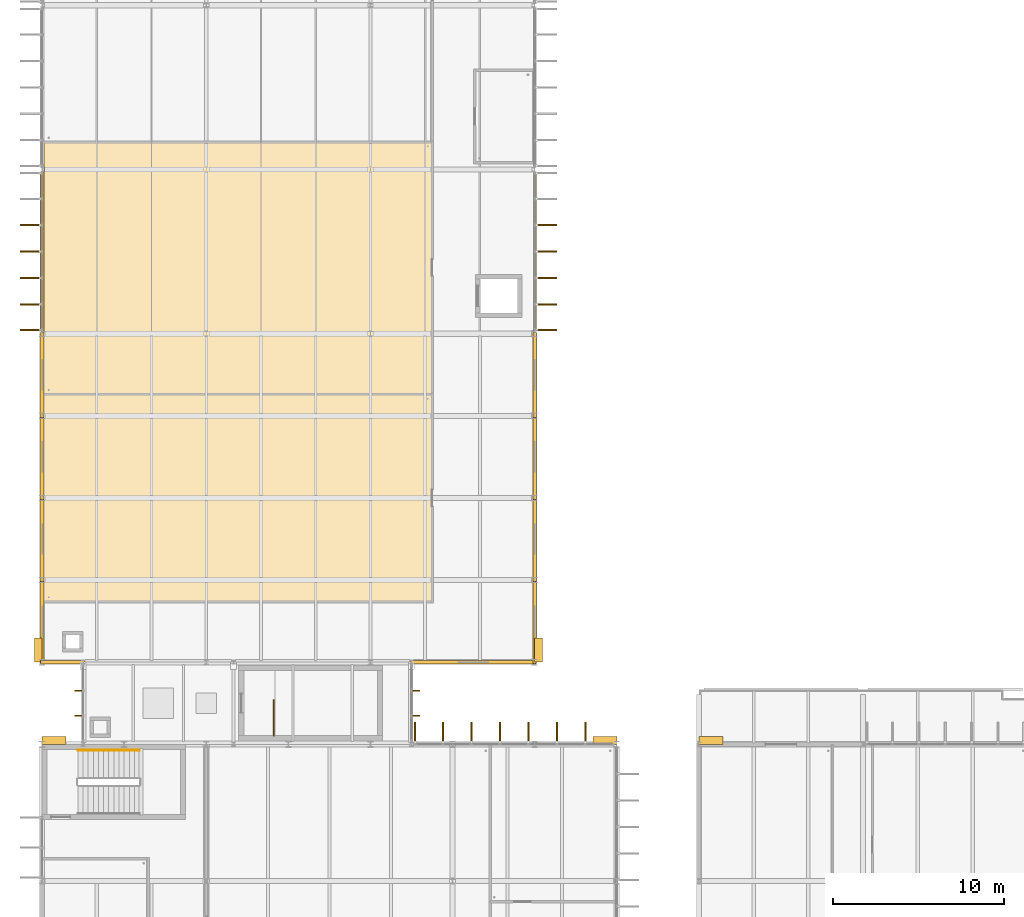
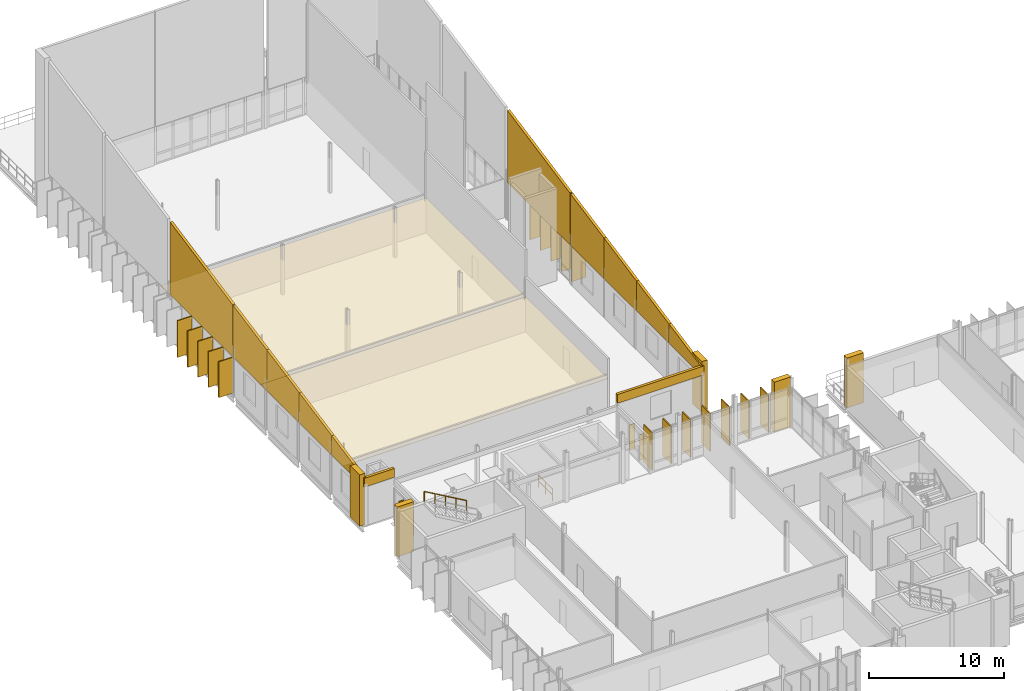
# One storey, part 87 of 93: 36 coverings, 4 shading devices, 2 railings.
"""IFC4 building model written with IfcOpenShell, lengths in metres."""

from ifc_helpers import new_model, si_unit, direction, frame, origin, origin_2d, place, context, subcontext, project, spatial, polyline, rectangle, circle, outline, extrude, material, layer, layer_set, type_object, element, save


model = new_model("IFC4")

# Units and contexts
model_context = context("Model", 3, precision=1e-05, world=origin(), true_north=direction((0.0, 1.0)))
body_context = subcontext(model_context, "Body", "Model", "MODEL_VIEW")
ifc_project = project(units=[si_unit("LENGTHUNIT", "METRE"), si_unit("AREAUNIT", "SQUARE_METRE"), si_unit("VOLUMEUNIT", "CUBIC_METRE"), si_unit("PLANEANGLEUNIT", "RADIAN"), si_unit("MASSUNIT", "GRAM", prefix="KILO")], contexts=[model_context])

# Site, building, storey
site_placement = place(None, origin())
site = spatial("IfcSite", under=ifc_project, at=site_placement, CompositionType="ELEMENT")
building_placement = place(site_placement, origin())
building = spatial("IfcBuilding", under=site, at=building_placement, Name="Dunescarp Central Library", CompositionType="ELEMENT")
storey_placement = place(building_placement, frame((0.0, 0.0, 14.10009765625)))
storey = spatial("IfcBuildingStorey", under=building, at=storey_placement, Name="L03", CompositionType="ELEMENT", Elevation=14.10009765625)

# Coverings
ifc_material_1 = material(Name="Mineral-fibre acoustic ceiling tile")
ifc_layer_1 = layer(ifc_material_1, 0.0400390625)
ifc_layer_set_1 = layer_set([ifc_layer_1], Name="Mineral-fibre acoustic ceiling tile")
covering_type_1 = type_object("IfcCoveringType", Name="ARC-COV-CEIL40", PredefinedType="CEILING", material=ifc_layer_set_1)
covering_1_placement = place(storey_placement, frame((0.0, 0.0, 3.0498046875)))
element("IfcCovering", 1, at=covering_1_placement, inside=storey, type_object=covering_type_1, Name="L03 ceiling Civic Adult-Education Classroom 3A", PredefinedType="CEILING", context=body_context, shape_type="SweptSolid", body=[
    extrude(outline(polyline([(0.1201171875, 45.1201171875), (22.820068359375, 45.1201171875), (22.820068359375, 57.280029296875), (0.1201171875, 57.280029296875), (0.1201171875, 45.1201171875)])), origin(), (0.0, 0.0, 1.0), 0.0400390625),
])
covering_2_placement = place(storey_placement, frame((0.0, 0.0, 3.0498046875)))
element("IfcCovering", 2, at=covering_2_placement, inside=storey, type_object=covering_type_1, Name="L03 ceiling Data Visualisation Classroom 3B", PredefinedType="CEILING", context=body_context, shape_type="SweptSolid", body=[
    extrude(outline(polyline([(0.1201171875, 57.239990234375), (22.820068359375, 57.239990234375), (22.820068359375, 72.02001953125), (0.1201171875, 72.02001953125), (0.1201171875, 57.239990234375)])), origin(), (0.0, 0.0, 1.0), 0.0400390625),
])
ifc_material_2 = material(Name="Glass-fibre reinforced concrete GRC", Category="concrete")
ifc_layer_2 = layer(ifc_material_2, 0.219970703125)
ifc_layer_set_2 = layer_set([ifc_layer_2], Name="Glass-fibre reinforced concrete GRC")
covering_type_2 = type_object("IfcCoveringType", Name="ARC-COV-CLER", PredefinedType="CLADDING", material=ifc_layer_set_2)
covering_3_placement = place(storey_placement, frame((2.485107421875, 41.60009765625, 3.47900390625), z_axis=(0.0, 0.0, 1.0), x_axis=(-1.0, 0.0, 0.0)))
element("IfcCovering", 3, at=covering_3_placement, inside=storey, type_object=covering_type_2, Name="L03 V4 raked clerestory closure CLR-V4-L03-063", PredefinedType="CLADDING", context=body_context, shape_type="SweptSolid", body=[
    extrude(outline(polyline([(0.0, 0.0), (2.570068359375, 0.0), (2.570068359375, 0.7998046875), (0.0, 0.7998046875), (0.0, 0.0)])), frame((0.0, 0.10986328125, 0.0), z_axis=(0.0, -1.0, 0.0), x_axis=(1.0, 0.0, 0.0)), (0.0, 0.0, 1.0), 0.219970703125),
])
covering_4_placement = place(storey_placement, frame((28.885009765625, 41.60009765625, 3.47900390625), z_axis=(0.0, 0.0, 1.0), x_axis=(-1.0, 0.0, 0.0)))
element("IfcCovering", 4, at=covering_4_placement, inside=storey, type_object=covering_type_2, Name="L03 V4 raked clerestory closure CLR-V4-L03-064", PredefinedType="CLADDING", context=body_context, shape_type="SweptSolid", body=[
    extrude(outline(polyline([(0.0, 0.0), (7.3701171875, 0.0), (7.3701171875, 0.7998046875), (0.0, 0.7998046875), (0.0, 0.0)])), frame((0.0, 0.10986328125, 0.0), z_axis=(0.0, -1.0, 0.0), x_axis=(1.0, 0.0, 0.0)), (0.0, 0.0, 1.0), 0.219970703125),
])
covering_5_placement = place(storey_placement, frame((0.0, 41.514892578125, 3.47900390625), z_axis=(0.0, 0.0, 1.0), x_axis=(0.0, 1.0, 0.0)))
element("IfcCovering", 5, at=covering_5_placement, inside=storey, type_object=covering_type_2, Name="L03 V4 raked clerestory closure CLR-V4-L03-065", PredefinedType="CLADDING", context=body_context, shape_type="SweptSolid", body=[
    extrude(outline(polyline([(0.0, 0.0), (4.97021484375, 0.0), (4.969970703125, 1.77685546875), (0.0, 0.782958984375), (0.0, 0.0)])), frame((0.0, 0.10986328125, 0.0), z_axis=(0.0, -1.0, 0.0), x_axis=(1.0, 0.0, 0.0)), (0.0, 0.0, 1.0), 0.219970703125),
])
covering_6_placement = place(storey_placement, frame((28.800048828125, 46.485107421875, 3.47900390625), z_axis=(0.0, 0.0, 1.0), x_axis=(0.0, -1.0, 0.0)))
element("IfcCovering", 6, at=covering_6_placement, inside=storey, type_object=covering_type_2, Name="L03 V4 raked clerestory closure CLR-V4-L03-066", PredefinedType="CLADDING", context=body_context, shape_type="SweptSolid", body=[
    extrude(outline(polyline([(0.0, 0.0), (4.97021484375, 0.0), (4.969970703125, 0.782958984375), (0.0, 1.77685546875), (0.0, 0.0)])), frame((0.0, 0.10986328125, 0.0), z_axis=(0.0, -1.0, 0.0), x_axis=(1.0, 0.0, 0.0)), (0.0, 0.0, 1.0), 0.219970703125),
])
covering_7_placement = place(storey_placement, frame((0.0, 46.31494140625, 3.47900390625), z_axis=(0.0, 0.0, 1.0), x_axis=(0.0, 1.0, 0.0)))
element("IfcCovering", 7, at=covering_7_placement, inside=storey, type_object=covering_type_2, Name="L03 V4 raked clerestory closure CLR-V4-L03-067", PredefinedType="CLADDING", context=body_context, shape_type="SweptSolid", body=[
    extrude(outline(polyline([(0.0, 0.0), (4.969970703125, 0.0), (4.969970703125, 2.73681640625), (0.0, 1.742919921875), (0.0, 0.0)])), frame((0.0, 0.10986328125, 0.0), z_axis=(0.0, -1.0, 0.0), x_axis=(1.0, 0.0, 0.0)), (0.0, 0.0, 1.0), 0.219970703125),
])
covering_8_placement = place(storey_placement, frame((28.800048828125, 51.284912109375, 3.47900390625), z_axis=(0.0, 0.0, 1.0), x_axis=(0.0, -1.0, 0.0)))
element("IfcCovering", 8, at=covering_8_placement, inside=storey, type_object=covering_type_2, Name="L03 V4 raked clerestory closure CLR-V4-L03-068", PredefinedType="CLADDING", context=body_context, shape_type="SweptSolid", body=[
    extrude(outline(polyline([(0.0, 0.0), (4.969970703125, 0.0), (4.969970703125, 1.742919921875), (0.0, 2.73681640625), (0.0, 0.0)])), frame((0.0, 0.10986328125, 0.0), z_axis=(0.0, -1.0, 0.0), x_axis=(1.0, 0.0, 0.0)), (0.0, 0.0, 1.0), 0.219970703125),
])
covering_9_placement = place(storey_placement, frame((0.0, 51.114990234375, 3.47900390625), z_axis=(0.0, 0.0, 1.0), x_axis=(0.0, 1.0, 0.0)))
element("IfcCovering", 9, at=covering_9_placement, inside=storey, type_object=covering_type_2, Name="L03 V4 raked clerestory closure CLR-V4-L03-069", PredefinedType="CLADDING", context=body_context, shape_type="SweptSolid", body=[
    extrude(outline(polyline([(0.0, 0.0), (4.969970703125, 0.0), (4.969970703125, 3.69677734375), (0.0, 2.702880859375), (0.0, 0.0)])), frame((0.0, 0.10986328125, 0.0), z_axis=(0.0, -1.0, 0.0), x_axis=(1.0, 0.0, 0.0)), (0.0, 0.0, 1.0), 0.219970703125),
])
covering_10_placement = place(storey_placement, frame((28.800048828125, 56.0849609375, 3.47900390625), z_axis=(0.0, 0.0, 1.0), x_axis=(0.0, -1.0, 0.0)))
element("IfcCovering", 10, at=covering_10_placement, inside=storey, type_object=covering_type_2, Name="L03 V4 raked clerestory closure CLR-V4-L03-070", PredefinedType="CLADDING", context=body_context, shape_type="SweptSolid", body=[
    extrude(outline(polyline([(0.0, 0.0), (4.969970703125, 0.0), (4.969970703125, 2.702880859375), (0.0, 3.69677734375), (0.0, 0.0)])), frame((0.0, 0.10986328125, 0.0), z_axis=(0.0, -1.0, 0.0), x_axis=(1.0, 0.0, 0.0)), (0.0, 0.0, 1.0), 0.219970703125),
])
covering_11_placement = place(storey_placement, frame((0.0, 55.9150390625, 3.47900390625), z_axis=(0.0, 0.0, 1.0), x_axis=(0.0, 1.0, 0.0)))
element("IfcCovering", 11, at=covering_11_placement, inside=storey, type_object=covering_type_2, Name="L03 V4 raked clerestory closure CLR-V4-L03-071", PredefinedType="CLADDING", context=body_context, shape_type="SweptSolid", body=[
    extrude(outline(polyline([(0.0, 0.0), (4.969970703125, 0.0), (4.969970703125, 4.656982421875), (0.0, 3.662841796875), (0.0, 0.0)])), frame((0.0, 0.10986328125, 0.0), z_axis=(0.0, -1.0, 0.0), x_axis=(1.0, 0.0, 0.0)), (0.0, 0.0, 1.0), 0.219970703125),
])
covering_12_placement = place(storey_placement, frame((28.800048828125, 60.885009765625, 3.47900390625), z_axis=(0.0, 0.0, 1.0), x_axis=(0.0, -1.0, 0.0)))
element("IfcCovering", 12, at=covering_12_placement, inside=storey, type_object=covering_type_2, Name="L03 V4 raked clerestory closure CLR-V4-L03-072", PredefinedType="CLADDING", context=body_context, shape_type="SweptSolid", body=[
    extrude(outline(polyline([(0.0, 0.0), (4.969970703125, 0.0), (4.969970703125, 3.662841796875), (0.0, 4.656982421875), (0.0, 0.0)])), frame((0.0, 0.10986328125, 0.0), z_axis=(0.0, -1.0, 0.0), x_axis=(1.0, 0.0, 0.0)), (0.0, 0.0, 1.0), 0.219970703125),
])
covering_13_placement = place(storey_placement, frame((0.0, 60.97509765625, 3.47900390625), z_axis=(0.0, 0.0, 1.0), x_axis=(0.0, 1.0, 0.0)))
element("IfcCovering", 13, at=covering_13_placement, inside=storey, type_object=covering_type_2, Name="L03 V4 raked clerestory closure CLR-V4-L03-073", PredefinedType="CLADDING", context=body_context, shape_type="SweptSolid", body=[
    extrude(outline(polyline([(0.0, 0.0), (9.25, 0.0), (9.25, 6.52490234375), (0.0, 4.6748046875), (0.0, 0.0)])), frame((0.0, 0.10986328125, 0.0), z_axis=(0.0, -1.0, 0.0), x_axis=(1.0, 0.0, 0.0)), (0.0, 0.0, 1.0), 0.219970703125),
])
covering_14_placement = place(storey_placement, frame((28.800048828125, 70.22509765625, 3.47900390625), z_axis=(0.0, 0.0, 1.0), x_axis=(0.0, -1.0, 0.0)))
element("IfcCovering", 14, at=covering_14_placement, inside=storey, type_object=covering_type_2, Name="L03 V4 raked clerestory closure CLR-V4-L03-074", PredefinedType="CLADDING", context=body_context, shape_type="SweptSolid", body=[
    extrude(outline(polyline([(0.0, 0.0), (9.25, 0.0), (9.25, 4.6748046875), (0.0, 6.52490234375), (0.0, 0.0)])), frame((0.0, 0.10986328125, 0.0), z_axis=(0.0, -1.0, 0.0), x_axis=(1.0, 0.0, 0.0)), (0.0, 0.0, 1.0), 0.219970703125),
])
ifc_layer_3 = layer(ifc_material_2, 0.090087890625)
ifc_layer_set_3 = layer_set([ifc_layer_3], Name="Glass-fibre reinforced concrete GRC")
covering_type_3 = type_object("IfcCoveringType", Name="ARC-COV-FIN1250", PredefinedType="CLADDING", material=ifc_layer_set_3)
covering_15_placement = place(storey_placement, frame((21.81494140625, 37.4619140625, 0.1669921875), z_axis=(0.0, 0.0, 1.0), x_axis=(0.0, 1.0, 0.0)))
element("IfcCovering", 15, at=covering_15_placement, inside=storey, type_object=covering_type_3, Name="L03 parametric vertical facade fin FIN-L03-0136", PredefinedType="CLADDING", context=body_context, shape_type="SweptSolid", body=[
    extrude(rectangle(XDim=1.25, YDim=0.090087890625, at=origin_2d()), origin(), (0.0, 0.0, 1.0), 3.3779296875),
])
covering_16_placement = place(storey_placement, frame((23.43896484375, 37.4619140625, 0.17919921875), z_axis=(0.0, 0.0, 1.0), x_axis=(0.0, 1.0, 0.0)))
element("IfcCovering", 16, at=covering_16_placement, inside=storey, type_object=covering_type_3, Name="L03 parametric vertical facade fin FIN-L03-0137", PredefinedType="CLADDING", context=body_context, shape_type="SweptSolid", body=[
    extrude(rectangle(XDim=1.25, YDim=0.090087890625, at=origin_2d()), origin(), (0.0, 0.0, 1.0), 3.364990234375),
])
covering_17_placement = place(storey_placement, frame((25.10400390625, 37.4619140625, 0.16357421875), z_axis=(0.0, 0.0, 1.0), x_axis=(0.0, 1.0, 0.0)))
element("IfcCovering", 17, at=covering_17_placement, inside=storey, type_object=covering_type_3, Name="L03 parametric vertical facade fin FIN-L03-0138", PredefinedType="CLADDING", context=body_context, shape_type="SweptSolid", body=[
    extrude(rectangle(XDim=1.25, YDim=0.090087890625, at=origin_2d()), origin(), (0.0, 0.0, 1.0), 3.381103515625),
])
covering_18_placement = place(storey_placement, frame((26.76806640625, 37.4619140625, 0.123046875), z_axis=(0.0, 0.0, 1.0), x_axis=(0.0, 1.0, 0.0)))
element("IfcCovering", 18, at=covering_18_placement, inside=storey, type_object=covering_type_3, Name="L03 parametric vertical facade fin FIN-L03-0139", PredefinedType="CLADDING", context=body_context, shape_type="SweptSolid", body=[
    extrude(rectangle(XDim=1.25, YDim=0.090087890625, at=origin_2d()), origin(), (0.0, 0.0, 1.0), 3.422119140625),
])
covering_19_placement = place(storey_placement, frame((28.431884765625, 37.4619140625, 0.079833984375), z_axis=(0.0, 0.0, 1.0), x_axis=(0.0, 1.0, 0.0)))
element("IfcCovering", 19, at=covering_19_placement, inside=storey, type_object=covering_type_3, Name="L03 parametric vertical facade fin FIN-L03-0140", PredefinedType="CLADDING", context=body_context, shape_type="SweptSolid", body=[
    extrude(rectangle(XDim=1.25, YDim=0.090087890625, at=origin_2d()), origin(), (0.0, 0.0, 1.0), 3.4541015625),
])
covering_20_placement = place(storey_placement, frame((30.095947265625, 37.4619140625, 0.080078125), z_axis=(0.0, 0.0, 1.0), x_axis=(0.0, 1.0, 0.0)))
element("IfcCovering", 20, at=covering_20_placement, inside=storey, type_object=covering_type_3, Name="L03 parametric vertical facade fin FIN-L03-0141", PredefinedType="CLADDING", context=body_context, shape_type="SweptSolid", body=[
    extrude(rectangle(XDim=1.25, YDim=0.090087890625, at=origin_2d()), origin(), (0.0, 0.0, 1.0), 3.404052734375),
])
covering_21_placement = place(storey_placement, frame((31.760986328125, 37.4619140625, 0.079345703125), z_axis=(0.0, 0.0, 1.0), x_axis=(0.0, 1.0, 0.0)))
element("IfcCovering", 21, at=covering_21_placement, inside=storey, type_object=covering_type_3, Name="L03 parametric vertical facade fin FIN-L03-0142", PredefinedType="CLADDING", context=body_context, shape_type="SweptSolid", body=[
    extrude(rectangle(XDim=1.25, YDim=0.090087890625, at=origin_2d()), origin(), (0.0, 0.0, 1.0), 3.37109375),
])
covering_22_placement = place(storey_placement, frame((-0.662109375, 61.014892578125, 0.16650390625), z_axis=(0.0, 0.0, 1.0), x_axis=(-1.0, 0.0, 0.0)))
element("IfcCovering", 22, at=covering_22_placement, inside=storey, type_object=covering_type_3, Name="L03 parametric vertical facade fin FIN-L03-0863", PredefinedType="CLADDING", context=body_context, shape_type="SweptSolid", body=[
    extrude(rectangle(XDim=1.25, YDim=0.090087890625, at=origin_2d()), origin(), (0.0, 0.0, 1.0), 3.235107421875),
])
covering_23_placement = place(storey_placement, frame((-0.662109375, 62.51708984375, 0.18017578125), z_axis=(0.0, 0.0, 1.0), x_axis=(-1.0, 0.0, 0.0)))
element("IfcCovering", 23, at=covering_23_placement, inside=storey, type_object=covering_type_3, Name="L03 parametric vertical facade fin FIN-L03-0864", PredefinedType="CLADDING", context=body_context, shape_type="SweptSolid", body=[
    extrude(rectangle(XDim=1.25, YDim=0.090087890625, at=origin_2d()), origin(), (0.0, 0.0, 1.0), 3.221923828125),
])
covering_24_placement = place(storey_placement, frame((-0.662109375, 64.05810546875, 0.1640625), z_axis=(0.0, 0.0, 1.0), x_axis=(-1.0, 0.0, 0.0)))
element("IfcCovering", 24, at=covering_24_placement, inside=storey, type_object=covering_type_3, Name="L03 parametric vertical facade fin FIN-L03-0865", PredefinedType="CLADDING", context=body_context, shape_type="SweptSolid", body=[
    extrude(rectangle(XDim=1.25, YDim=0.090087890625, at=origin_2d()), origin(), (0.0, 0.0, 1.0), 3.238037109375),
])
covering_25_placement = place(storey_placement, frame((-0.662109375, 65.60009765625, 0.12353515625), z_axis=(0.0, 0.0, 1.0), x_axis=(-1.0, 0.0, 0.0)))
element("IfcCovering", 25, at=covering_25_placement, inside=storey, type_object=covering_type_3, Name="L03 parametric vertical facade fin FIN-L03-0866", PredefinedType="CLADDING", context=body_context, shape_type="SweptSolid", body=[
    extrude(rectangle(XDim=1.25, YDim=0.090087890625, at=origin_2d()), origin(), (0.0, 0.0, 1.0), 3.279052734375),
])
covering_26_placement = place(storey_placement, frame((-0.662109375, 67.14208984375, 0.079345703125), z_axis=(0.0, 0.0, 1.0), x_axis=(-1.0, 0.0, 0.0)))
element("IfcCovering", 26, at=covering_26_placement, inside=storey, type_object=covering_type_3, Name="L03 parametric vertical facade fin FIN-L03-0867", PredefinedType="CLADDING", context=body_context, shape_type="SweptSolid", body=[
    extrude(rectangle(XDim=1.25, YDim=0.090087890625, at=origin_2d()), origin(), (0.0, 0.0, 1.0), 3.31103515625),
])
covering_27_placement = place(storey_placement, frame((29.4619140625, 67.14208984375, 0.1640625), z_axis=(0.0, 0.0, 1.0), x_axis=(1.0, 0.0, 0.0)))
element("IfcCovering", 27, at=covering_27_placement, inside=storey, type_object=covering_type_3, Name="L03 parametric vertical facade fin FIN-L03-0872", PredefinedType="CLADDING", context=body_context, shape_type="SweptSolid", body=[
    extrude(rectangle(XDim=1.25, YDim=0.090087890625, at=origin_2d()), origin(), (0.0, 0.0, 1.0), 3.238037109375),
])
covering_28_placement = place(storey_placement, frame((29.4619140625, 65.60009765625, 0.12353515625), z_axis=(0.0, 0.0, 1.0), x_axis=(1.0, 0.0, 0.0)))
element("IfcCovering", 28, at=covering_28_placement, inside=storey, type_object=covering_type_3, Name="L03 parametric vertical facade fin FIN-L03-0873", PredefinedType="CLADDING", context=body_context, shape_type="SweptSolid", body=[
    extrude(rectangle(XDim=1.25, YDim=0.090087890625, at=origin_2d()), origin(), (0.0, 0.0, 1.0), 3.279052734375),
])
covering_29_placement = place(storey_placement, frame((29.4619140625, 64.05810546875, 0.079345703125), z_axis=(0.0, 0.0, 1.0), x_axis=(1.0, 0.0, 0.0)))
element("IfcCovering", 29, at=covering_29_placement, inside=storey, type_object=covering_type_3, Name="L03 parametric vertical facade fin FIN-L03-0874", PredefinedType="CLADDING", context=body_context, shape_type="SweptSolid", body=[
    extrude(rectangle(XDim=1.25, YDim=0.090087890625, at=origin_2d()), origin(), (0.0, 0.0, 1.0), 3.31103515625),
])
covering_30_placement = place(storey_placement, frame((29.4619140625, 62.51708984375, 0.07958984375), z_axis=(0.0, 0.0, 1.0), x_axis=(1.0, 0.0, 0.0)))
element("IfcCovering", 30, at=covering_30_placement, inside=storey, type_object=covering_type_3, Name="L03 parametric vertical facade fin FIN-L03-0875", PredefinedType="CLADDING", context=body_context, shape_type="SweptSolid", body=[
    extrude(rectangle(XDim=1.25, YDim=0.090087890625, at=origin_2d()), origin(), (0.0, 0.0, 1.0), 3.260986328125),
])
covering_31_placement = place(storey_placement, frame((29.4619140625, 61.014892578125, 0.079833984375), z_axis=(0.0, 0.0, 1.0), x_axis=(1.0, 0.0, 0.0)))
element("IfcCovering", 31, at=covering_31_placement, inside=storey, type_object=covering_type_3, Name="L03 parametric vertical facade fin FIN-L03-0876", PredefinedType="CLADDING", context=body_context, shape_type="SweptSolid", body=[
    extrude(rectangle(XDim=1.25, YDim=0.090087890625, at=origin_2d()), origin(), (0.0, 0.0, 1.0), 3.22802734375),
])
ifc_layer_4 = layer(ifc_material_2, 0.449951171875)
ifc_layer_set_4 = layer_set([ifc_layer_4], Name="Glass-fibre reinforced concrete GRC")
covering_type_4 = type_object("IfcCoveringType", Name="ARC-COV-PORTAL", PredefinedType="CLADDING", material=ifc_layer_set_4)
covering_32_placement = place(storey_placement, frame((39.10009765625, 37.02001953125, 0.0), z_axis=(0.0, 0.0, 1.0), x_axis=(1.0, 0.0, 0.0)))
element("IfcCovering", 32, at=covering_32_placement, inside=storey, type_object=covering_type_4, Name="V2 sculpted GRC portal pier PRT-BAND-V2-014", PredefinedType="CLADDING", context=body_context, shape_type="SweptSolid", body=[
    extrude(rectangle(XDim=1.39990234375, YDim=0.449951171875, at=origin_2d()), origin(), (0.0, 0.0, 1.0), 4.5),
])
for number, where, z_axis, x_axis, name in (
    (33, (-0.219970703125, 42.300048828125, 0.0), (0.0, 0.0, 1.0), (1.0, 0.0, 0.0), "V4 sculpted GRC portal pier PRT-BAND-V4-075"),
    (34, (29.02001953125, 42.300048828125, 0.0), (0.0, 0.0, 1.0), (1.0, 0.0, 0.0), "V4 sculpted GRC portal pier PRT-BAND-V4-076"),
):
    element("IfcCovering", number, at=place(storey_placement, frame(where, z_axis=z_axis, x_axis=x_axis)), inside=storey, type_object=covering_type_4, Name=name, PredefinedType="CLADDING", context=body_context, shape_type="SweptSolid", body=[
        extrude(rectangle(XDim=0.449951171875, YDim=1.39990234375, at=origin_2d()), origin(), (0.0, 0.0, 1.0), 4.639892578125),
    ])
for number, where, z_axis, x_axis, name in (
    (35, (0.699951171875, 37.02001953125, 0.0), (0.0, 0.0, 1.0), (1.0, 0.0, 0.0), "V1 sculpted GRC portal pier PRT-BAND-V1-094"),
    (36, (32.89990234375, 37.02001953125, 0.0), (0.0, 0.0, 1.0), (1.0, 0.0, 0.0), "V1 sculpted GRC portal pier PRT-BAND-V1-096"),
):
    element("IfcCovering", number, at=place(storey_placement, frame(where, z_axis=z_axis, x_axis=x_axis)), inside=storey, type_object=covering_type_4, Name=name, PredefinedType="CLADDING", context=body_context, shape_type="SweptSolid", body=[
        extrude(rectangle(XDim=1.39990234375, YDim=0.449951171875, at=origin_2d()), origin(), (0.0, 0.0, 1.0), 4.5),
    ])

# Railings
ifc_material_3 = material(Name="Stainless steel Grade 316L", Category="steel")
railing_type_1 = type_object("IfcRailingType", Name="ARC-RL-GUARD", PredefinedType="GUARDRAIL", material=ifc_material_3)
railing_1_placement = place(storey_placement, frame((13.550048828125, 37.300048828125, 0.0)))
element("IfcRailing", 37, at=railing_1_placement, inside=storey, type_object=railing_type_1, Name="L03 ST-4 top well guard 1", PredefinedType="GUARDRAIL", context=body_context, shape_type="SweptSolid", body=[
    extrude(circle(Radius=0.02392578125, at=origin_2d()), frame((0.0, 0.0, 1.076171875), z_axis=(0.0, 1.0, 0.0), x_axis=(-1.0, 0.0, 0.0)), (0.0, 0.0, 1.0), 2.079833984375),
    extrude(circle(Radius=0.02392578125, at=origin_2d()), frame((0.0, 0.0, 0.550048828125), z_axis=(0.0, 1.0, 0.0), x_axis=(-1.0, 0.0, 0.0)), (0.0, 0.0, 1.0), 2.079833984375),
    extrude(circle(Radius=0.02099609375, at=origin_2d()), origin(), (0.0, 0.0, 1.0), 1.052001953125),
    extrude(circle(Radius=0.02099609375, at=origin_2d()), frame((0.0, 1.0400390625, 0.0)), (0.0, 0.0, 1.0), 1.052001953125),
    extrude(circle(Radius=0.02099609375, at=origin_2d()), frame((0.0, 2.079833984375, 0.0)), (0.0, 0.0, 1.0), 1.052001953125),
])
railing_type_2 = type_object("IfcRailingType", Name="ARC-RL-HAND", PredefinedType="HANDRAIL", material=ifc_material_3)
railing_2_placement = place(storey_placement, frame((5.699951171875, 36.449951171875, 2.423095703125)))
element("IfcRailing", 38, at=railing_2_placement, inside=storey, type_object=railing_type_2, Name="L03 ST-6 stair handrail 2", PredefinedType="HANDRAIL", context=body_context, shape_type="SweptSolid", body=[
    extrude(circle(Radius=0.02392578125, at=origin_2d()), frame((0.0, 0.0, 0.8857421875), z_axis=(-0.866178740119, 0.0, 0.499734319579), x_axis=(0.0, -1.0, 0.0)), (0.0, 0.0, 1.0), 4.156005859375),
    extrude(circle(Radius=0.02099609375, at=origin_2d()), origin(), (0.0, 0.0, 1.0), 0.86181640625),
    extrude(circle(Radius=0.02099609375, at=origin_2d()), frame((-0.89990234375, 0.0, 0.519287109375)), (0.0, 0.0, 1.0), 0.86181640625),
    extrude(circle(Radius=0.02099609375, at=origin_2d()), frame((-1.7998046875, 0.0, 1.03857421875)), (0.0, 0.0, 1.0), 0.86181640625),
    extrude(circle(Radius=0.02099609375, at=origin_2d()), frame((-2.699951171875, 0.0, 1.5576171875)), (0.0, 0.0, 1.0), 0.86181640625),
    extrude(circle(Radius=0.02099609375, at=origin_2d()), frame((-3.599853515625, 0.0, 2.076904296875)), (0.0, 0.0, 1.0), 0.86181640625),
])

# Shading devices
ifc_material_4 = material(Name="Marine-grade anodised aluminium 6063-T6", Category="aluminium")
ifc_layer_5 = layer(ifc_material_4, 0.06005859375)
ifc_layer_set_5 = layer_set([ifc_layer_5], Name="Marine-grade anodised aluminium 6063-T6")
shading_device_type = type_object("IfcShadingDeviceType", Name="ARC-SHD-FIN", PredefinedType="USERDEFINED", material=ifc_layer_set_5)
for number, where, z_axis, x_axis, name in (
    (39, (2.138916015625, 38.4580078125, 0.14990234375), (0.0, 0.0, 1.0), (-1.0, 0.0, 0.0), "L03 link sunshade fin SHDF-L03-1126"),
    (40, (2.138916015625, 39.94189453125, 0.14990234375), (0.0, 0.0, 1.0), (-1.0, 0.0, 0.0), "L03 link sunshade fin SHDF-L03-1127"),
    (41, (21.861083984375, 39.94189453125, 0.14990234375), (0.0, 0.0, 1.0), (1.0, 0.0, 0.0), "L03 link sunshade fin SHDF-L03-1128"),
    (42, (21.861083984375, 38.4580078125, 0.14990234375), (0.0, 0.0, 1.0), (1.0, 0.0, 0.0), "L03 link sunshade fin SHDF-L03-1129"),
):
    element("IfcShadingDevice", number, at=place(storey_placement, frame(where, z_axis=z_axis, x_axis=x_axis)), inside=storey, type_object=shading_device_type, Name=name, ObjectType="FIN", PredefinedType="USERDEFINED", context=body_context, shape_type="SweptSolid", body=[
        extrude(rectangle(XDim=0.449951171875, YDim=0.06005859375, at=origin_2d()), origin(), (0.0, 0.0, 1.0), 2.300048828125),
    ])

save(model, "model.ifc")
